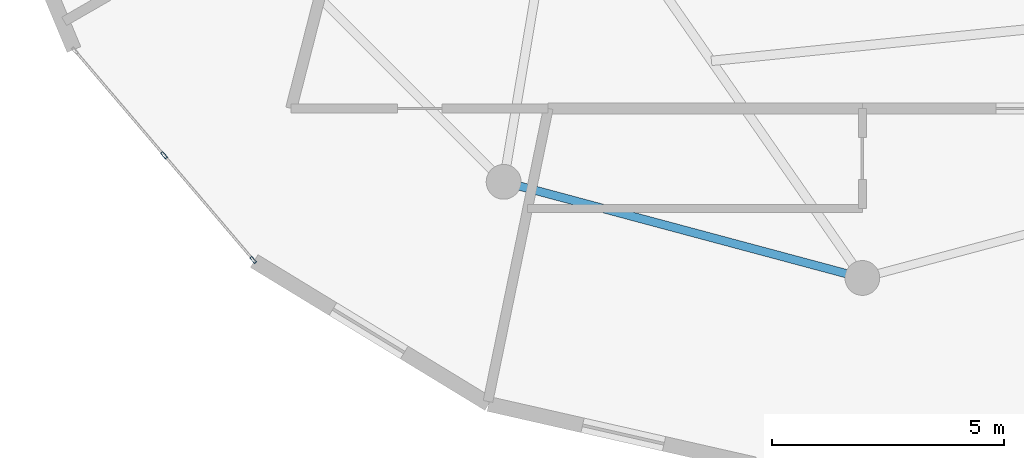
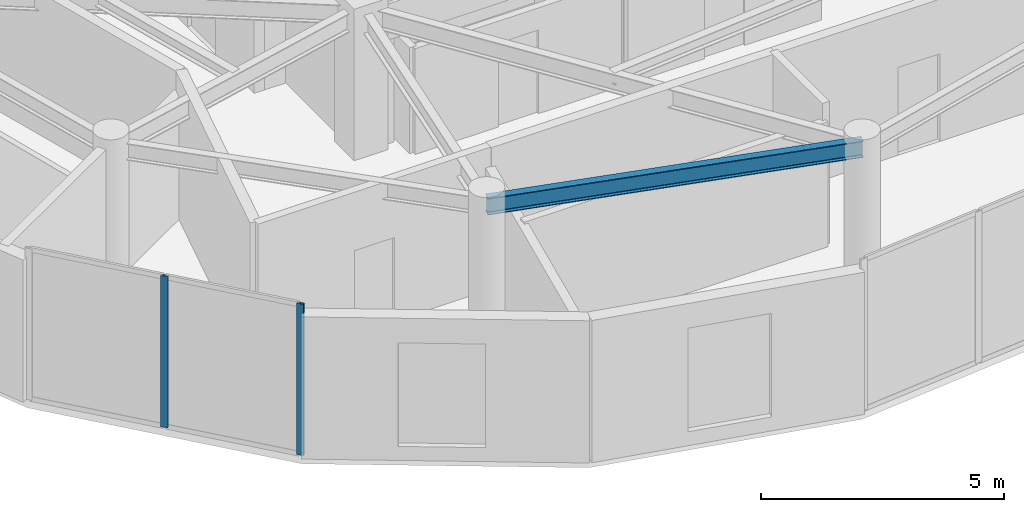
# One storey, part 2 of 22: 2 members, 1 beam, 1 element without a shape of its own.
"""IFC4 building model written with IfcOpenShell, lengths in metres."""

from ifc_helpers import new_model, si_unit, direction, frame, origin, origin_2d, place, context, subcontext, project, spatial, hollow_rectangle, i_section, extrude, source, transform, mapped, material, layer, layer_set, material_profile, profile_set, type_object, element, aggregate, save


model = new_model("IFC4")

# Units and contexts
model_context = context("Model", 3, precision=1e-05, world=origin(), true_north=direction((0.0, 1.0)))
body_context = subcontext(model_context, "Body", "Model", "MODEL_VIEW")
ifc_project = project(units=[si_unit("LENGTHUNIT", "METRE"), si_unit("AREAUNIT", "SQUARE_METRE"), si_unit("VOLUMEUNIT", "CUBIC_METRE"), si_unit("PLANEANGLEUNIT", "RADIAN"), si_unit("MASSUNIT", "GRAM", prefix="KILO")], contexts=[model_context])

# Site, building, storey
site_placement = place(None, origin())
site = spatial("IfcSite", under=ifc_project, at=site_placement, CompositionType="ELEMENT")
building_placement = place(site_placement, origin())
building = spatial("IfcBuilding", under=site, at=building_placement, Name="Solvirekh Grand Hotel", CompositionType="ELEMENT")
storey_placement = place(building_placement, frame((0.0, 0.0, 289.60009765625)))
storey = spatial("IfcBuildingStorey", under=building, at=storey_placement, Name="L75", CompositionType="ELEMENT", Elevation=289.60009765625)

# Beam
ifc_material_1 = material(Name="Steel S355", Category="steel")
ifc_material_profile_1 = material_profile(ifc_material_1, i_section(OverallWidth=0.180908203125, OverallDepth=0.4169921875, WebThickness=0.010009765625, FlangeThickness=0.01611328125, FilletRadius=0.011962890625, at=origin_2d()), Name="W410X85")
ifc_profile_set_1 = profile_set([ifc_material_profile_1], Name="Steel S355")
beam_type = type_object("IfcBeamType", Name="Spandrel_Ring_W410", PredefinedType="SPANDREL", material=ifc_profile_set_1)
beam_placement = place(storey_placement, frame((-7.72509765625, -13.3798828125, 3.36181640625), z_axis=(0.965921616143, -0.258834757072, 0.0), x_axis=(0.258834757072, 0.965921616143, 0.0)))
element("IfcBeam", 1, at=beam_placement, inside=storey, type_object=beam_type, Name="L75 perimeter spandrel beam 9", PredefinedType="SPANDREL", context=body_context, shape_type="SweptSolid", body=[
    extrude(i_section(OverallWidth=0.180908203125, OverallDepth=0.4169921875, WebThickness=0.010009765625, FlangeThickness=0.01611328125, FilletRadius=0.011962890625, at=origin_2d()), origin(), (0.0, 0.0, 1.0), 7.99755859375),
])

# Curtain wall, members
ifc_material_2 = material(Name="Anodized Bronze Aluminium 6063-T6", Category="aluminium")
ifc_layer = layer(ifc_material_2, 0.159912109375)
ifc_layer_set = layer_set([ifc_layer], Name="Anodized Bronze Aluminium 6063-T6")
curtain_wall_type = type_object("IfcCurtainWallType", Name="CW_Sys4_HighZoneFlushBronzeCW", PredefinedType="NOTDEFINED", material=ifc_layer_set)
curtain_wall_placement = place(storey_placement, origin())
curtain_wall = element("IfcCurtainWall", 2, at=curtain_wall_placement, inside=storey, type_object=curtain_wall_type, Name="L75 unitised bronze-glass curtain wall CW-L75-C18", PredefinedType="NOTDEFINED")
ifc_material_profile_2 = material_profile(ifc_material_2, hollow_rectangle(XDim=0.06005859375, YDim=0.159912109375, WallThickness=0.0048828125, at=origin_2d()), Name="ALU RHS 160X60X5")
ifc_profile_set_2 = profile_set([ifc_material_profile_2], Name="Anodized Bronze Aluminium 6063-T6")
member_type = type_object("IfcMemberType", Name="CWMullion_Sys4", PredefinedType="MULLION", material=ifc_profile_set_2)
shared_shape = source(origin(), body_context, "Body", "SweptSolid", [
    extrude(hollow_rectangle(XDim=0.06005859375, YDim=0.159912109375, WallThickness=0.0048828125, at=origin_2d()), origin(), (0.0, 0.0, 1.0), 3.7998046875),
])
member_1_placement = place(storey_placement, frame((-15.03857421875, -12.80859375, 0.0), z_axis=(0.0, 0.0, 1.0), x_axis=(0.76117601134, 0.648545356749, 0.0)))
member_1 = element("IfcMember", 3, at=member_1_placement, type_object=member_type, Name="U04 mullion 2", PredefinedType="MULLION", context=body_context, shape_type="MappedRepresentation", body=[
    mapped(shared_shape, transform((0.0, 0.0, 0.0), x_axis=(1.0, 0.0, 0.0), y_axis=(0.0, 1.0, 0.0), z_axis=(0.0, 0.0, 1.0), scale=1.0)),
])
member_2_placement = place(storey_placement, frame((-13.117431640625, -15.063232421875, 0.0), z_axis=(0.0, 0.0, 1.0), x_axis=(0.76117601134, 0.648545356749, 0.0)))
member_2 = element("IfcMember", 4, at=member_2_placement, type_object=member_type, Name="U04 mullion 3", PredefinedType="MULLION", context=body_context, shape_type="MappedRepresentation", body=[
    mapped(shared_shape, transform((0.0, 0.0, 0.0), x_axis=(1.0, 0.0, 0.0), y_axis=(0.0, 1.0, 0.0), z_axis=(0.0, 0.0, 1.0), scale=1.0)),
])
aggregate(curtain_wall, [member_1, member_2])

save(model, "model.ifc")
